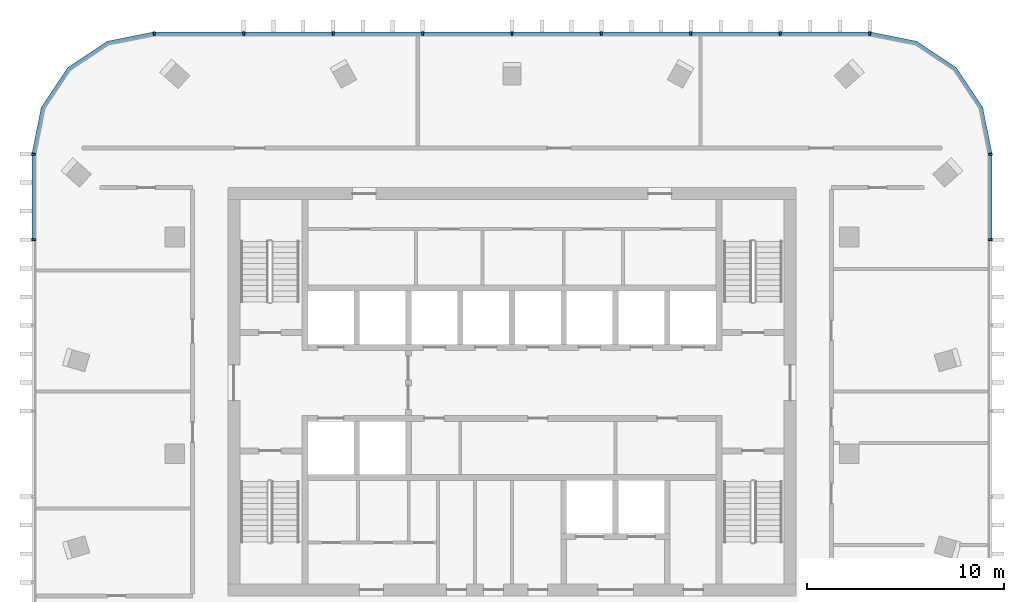
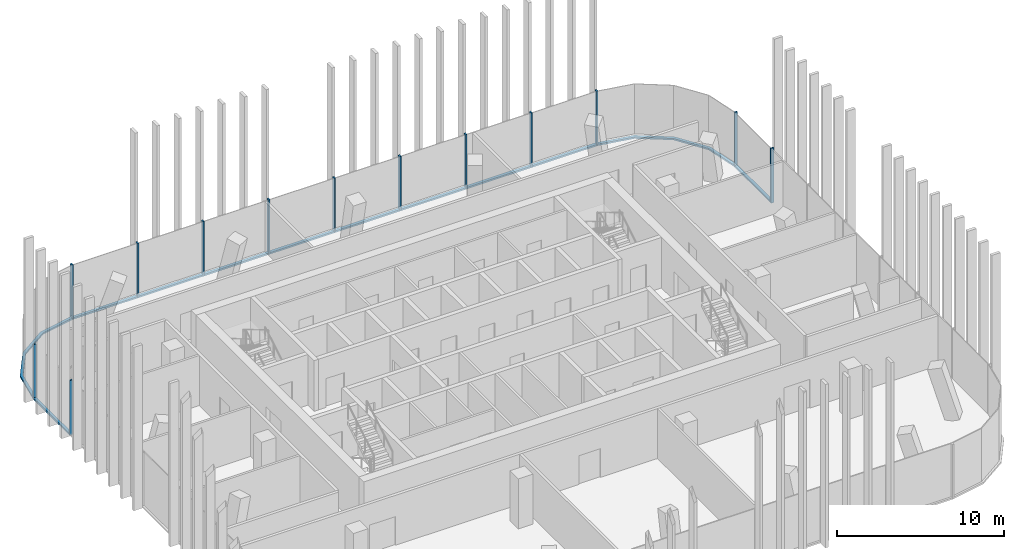
# One storey, part 4 of 13: 25 members, 5 elements without a shape of their own.
"""IFC4 building model written with IfcOpenShell, lengths in metres."""

from ifc_helpers import new_model, si_unit, direction, frame, origin, origin_2d, place, context, subcontext, project, spatial, polyline, rectangle, outline, extrude, material, material_profile, profile_set, type_object, element, aggregate, save


model = new_model("IFC4")

# Units and contexts
model_context = context("Model", 3, precision=1e-05, world=origin(), true_north=direction((0.0, 1.0)))
body_context = subcontext(model_context, "Body", "Model", "MODEL_VIEW")
ifc_project = project(units=[si_unit("LENGTHUNIT", "METRE"), si_unit("AREAUNIT", "SQUARE_METRE"), si_unit("VOLUMEUNIT", "CUBIC_METRE"), si_unit("PLANEANGLEUNIT", "RADIAN"), si_unit("MASSUNIT", "GRAM", prefix="KILO")], contexts=[model_context])

# Site, building, storey
site_placement = place(None, origin())
site = spatial("IfcSite", under=ifc_project, at=site_placement, CompositionType="ELEMENT")
building_placement = place(site_placement, origin())
building = spatial("IfcBuilding", under=site, at=building_placement, Name="Mopane Tessera Tower", CompositionType="ELEMENT")
storey_placement = place(building_placement, frame((0.0, 0.0, 345.39990234375)))
storey = spatial("IfcBuildingStorey", under=building, at=storey_placement, Name="L75", CompositionType="ELEMENT", Elevation=345.39990234375)

# Curtain wall, members
ifc_material_1 = material(Name="Aluminium frame", Category="aluminium")
curtain_wall_type = type_object("IfcCurtainWallType", Name="Unitised curtain wall", PredefinedType="NOTDEFINED", material=ifc_material_1)
curtain_wall_1_placement = place(storey_placement, origin())
curtain_wall_1 = element("IfcCurtainWall", 1, at=curtain_wall_1_placement, inside=storey, type_object=curtain_wall_type, Name="e:cw:L75:E:0", PredefinedType="NOTDEFINED")
ifc_material_2 = material(Name="Aluminium frame", Category="aluminium")
ifc_material_profile_1 = material_profile(ifc_material_2, rectangle(XDim=0.10009765625, YDim=0.199951171875, at=origin_2d()))
ifc_profile_set_1 = profile_set([ifc_material_profile_1], Name="Aluminium frame")
member_type_1 = type_object("IfcMemberType", Name="Aluminium mullion 100 x 200", PredefinedType="MULLION", material=ifc_profile_set_1)
member_1_placement = place(storey_placement, frame((24.25, 10.857177734375, -0.349853515625), z_axis=(0.0, 0.0, 1.0), x_axis=(0.0, 1.0, 0.0)))
member_1 = element("IfcMember", 2, at=member_1_placement, type_object=member_type_1, Name="e:cw:L75:E:0:mu6", PredefinedType="MULLION", context=body_context, shape_type="SweptSolid", body=[
    extrude(rectangle(XDim=0.10009765625, YDim=0.199951171875, at=origin_2d()), origin(), (0.0, 0.0, 1.0), 4.0),
])
member_2_placement = place(storey_placement, frame((24.25, 15.199951171875, -0.349853515625), z_axis=(0.0, 0.0, 1.0), x_axis=(0.0, 1.0, 0.0)))
member_2 = element("IfcMember", 3, at=member_2_placement, type_object=member_type_1, Name="e:cw:L75:E:0:mu7", PredefinedType="MULLION", context=body_context, shape_type="SweptSolid", body=[
    extrude(rectangle(XDim=0.10009765625, YDim=0.199951171875, at=origin_2d()), origin(), (0.0, 0.0, 1.0), 4.0),
])

curtain_wall_2_placement = place(storey_placement, origin())
curtain_wall_2 = element("IfcCurtainWall", 4, at=curtain_wall_2_placement, inside=storey, type_object=curtain_wall_type, Name="e:cw:L75:N:0", PredefinedType="NOTDEFINED")
member_3_placement = place(storey_placement, frame((18.14990234375, 21.300048828125, -0.349853515625), z_axis=(0.0, 0.0, 1.0), x_axis=(-1.0, 0.0, 0.0)))
member_3 = element("IfcMember", 5, at=member_3_placement, type_object=member_type_1, Name="e:cw:L75:N:0:mu0", PredefinedType="MULLION", context=body_context, shape_type="SweptSolid", body=[
    extrude(rectangle(XDim=0.10009765625, YDim=0.199951171875, at=origin_2d()), origin(), (0.0, 0.0, 1.0), 4.0),
])
member_4_placement = place(storey_placement, frame((13.612548828125, 21.300048828125, -0.349853515625), z_axis=(0.0, 0.0, 1.0), x_axis=(-1.0, 0.0, 0.0)))
member_4 = element("IfcMember", 6, at=member_4_placement, type_object=member_type_1, Name="e:cw:L75:N:0:mu1", PredefinedType="MULLION", context=body_context, shape_type="SweptSolid", body=[
    extrude(rectangle(XDim=0.10009765625, YDim=0.199951171875, at=origin_2d()), origin(), (0.0, 0.0, 1.0), 4.0),
])
member_5_placement = place(storey_placement, frame((9.074951171875, 21.300048828125, -0.349853515625), z_axis=(0.0, 0.0, 1.0), x_axis=(-1.0, 0.0, 0.0)))
member_5 = element("IfcMember", 7, at=member_5_placement, type_object=member_type_1, Name="e:cw:L75:N:0:mu2", PredefinedType="MULLION", context=body_context, shape_type="SweptSolid", body=[
    extrude(rectangle(XDim=0.10009765625, YDim=0.199951171875, at=origin_2d()), origin(), (0.0, 0.0, 1.0), 4.0),
])
member_6_placement = place(storey_placement, frame((4.53759765625, 21.300048828125, -0.349853515625), z_axis=(0.0, 0.0, 1.0), x_axis=(-1.0, 0.0, 0.0)))
member_6 = element("IfcMember", 8, at=member_6_placement, type_object=member_type_1, Name="e:cw:L75:N:0:mu3", PredefinedType="MULLION", context=body_context, shape_type="SweptSolid", body=[
    extrude(rectangle(XDim=0.10009765625, YDim=0.199951171875, at=origin_2d()), origin(), (0.0, 0.0, 1.0), 4.0),
])
member_7_placement = place(storey_placement, frame((0.0, 21.300048828125, -0.349853515625), z_axis=(0.0, 0.0, 1.0), x_axis=(-1.0, 0.0, 0.0)))
member_7 = element("IfcMember", 9, at=member_7_placement, type_object=member_type_1, Name="e:cw:L75:N:0:mu4", PredefinedType="MULLION", context=body_context, shape_type="SweptSolid", body=[
    extrude(rectangle(XDim=0.10009765625, YDim=0.199951171875, at=origin_2d()), origin(), (0.0, 0.0, 1.0), 4.0),
])
member_8_placement = place(storey_placement, frame((-4.53759765625, 21.300048828125, -0.349853515625), z_axis=(0.0, 0.0, 1.0), x_axis=(-1.0, 0.0, 0.0)))
member_8 = element("IfcMember", 10, at=member_8_placement, type_object=member_type_1, Name="e:cw:L75:N:0:mu5", PredefinedType="MULLION", context=body_context, shape_type="SweptSolid", body=[
    extrude(rectangle(XDim=0.10009765625, YDim=0.199951171875, at=origin_2d()), origin(), (0.0, 0.0, 1.0), 4.0),
])
member_9_placement = place(storey_placement, frame((-9.074951171875, 21.300048828125, -0.349853515625), z_axis=(0.0, 0.0, 1.0), x_axis=(-1.0, 0.0, 0.0)))
member_9 = element("IfcMember", 11, at=member_9_placement, type_object=member_type_1, Name="e:cw:L75:N:0:mu6", PredefinedType="MULLION", context=body_context, shape_type="SweptSolid", body=[
    extrude(rectangle(XDim=0.10009765625, YDim=0.199951171875, at=origin_2d()), origin(), (0.0, 0.0, 1.0), 4.0),
])
member_10_placement = place(storey_placement, frame((-13.612548828125, 21.300048828125, -0.349853515625), z_axis=(0.0, 0.0, 1.0), x_axis=(-1.0, 0.0, 0.0)))
member_10 = element("IfcMember", 12, at=member_10_placement, type_object=member_type_1, Name="e:cw:L75:N:0:mu7", PredefinedType="MULLION", context=body_context, shape_type="SweptSolid", body=[
    extrude(rectangle(XDim=0.10009765625, YDim=0.199951171875, at=origin_2d()), origin(), (0.0, 0.0, 1.0), 4.0),
])
member_11_placement = place(storey_placement, frame((-18.14990234375, 21.300048828125, -0.349853515625), z_axis=(0.0, 0.0, 1.0), x_axis=(-1.0, 0.0, 0.0)))
member_11 = element("IfcMember", 13, at=member_11_placement, type_object=member_type_1, Name="e:cw:L75:N:0:mu8", PredefinedType="MULLION", context=body_context, shape_type="SweptSolid", body=[
    extrude(rectangle(XDim=0.10009765625, YDim=0.199951171875, at=origin_2d()), origin(), (0.0, 0.0, 1.0), 4.0),
])

curtain_wall_3_placement = place(storey_placement, origin())
curtain_wall_3 = element("IfcCurtainWall", 14, at=curtain_wall_3_placement, inside=storey, type_object=curtain_wall_type, Name="e:cw:L75:W:0", PredefinedType="NOTDEFINED")
member_12_placement = place(storey_placement, frame((-24.25, 15.199951171875, -0.349853515625), z_axis=(0.0, 0.0, 1.0), x_axis=(0.0, -1.0, 0.0)))
member_12 = element("IfcMember", 15, at=member_12_placement, type_object=member_type_1, Name="e:cw:L75:W:0:mu0", PredefinedType="MULLION", context=body_context, shape_type="SweptSolid", body=[
    extrude(rectangle(XDim=0.10009765625, YDim=0.199951171875, at=origin_2d()), origin(), (0.0, 0.0, 1.0), 4.0),
])
member_13_placement = place(storey_placement, frame((-24.25, 10.857177734375, -0.349853515625), z_axis=(0.0, 0.0, 1.0), x_axis=(0.0, -1.0, 0.0)))
member_13 = element("IfcMember", 16, at=member_13_placement, type_object=member_type_1, Name="e:cw:L75:W:0:mu1", PredefinedType="MULLION", context=body_context, shape_type="SweptSolid", body=[
    extrude(rectangle(XDim=0.10009765625, YDim=0.199951171875, at=origin_2d()), origin(), (0.0, 0.0, 1.0), 4.0),
])

# Member
ifc_material_3 = material(Name="Aluminium frame", Category="aluminium")
ifc_material_profile_2 = material_profile(ifc_material_3, rectangle(XDim=0.199951171875, YDim=0.1201171875, at=origin_2d()))
ifc_profile_set_2 = profile_set([ifc_material_profile_2], Name="Aluminium frame")
member_type_2 = type_object("IfcMemberType", Name="Aluminium transom 200 x 120", PredefinedType="USERDEFINED", material=ifc_profile_set_2)
member_14_placement = place(storey_placement, frame((24.25, 10.9072265625, -0.289794921875), z_axis=(0.0, 1.0, 0.0), x_axis=(-1.0, 0.0, 0.0)))
member_14 = element("IfcMember", 17, at=member_14_placement, type_object=member_type_2, Name="e:cw:L75:E:0:tr6", ObjectType="TRANSOM", PredefinedType="USERDEFINED", context=body_context, shape_type="SweptSolid", body=[
    extrude(rectangle(XDim=0.199951171875, YDim=0.1201171875, at=origin_2d()), origin(), (0.0, 0.0, 1.0), 4.24267578125),
])

aggregate(curtain_wall_1, [member_1, member_2, member_14])

# Curtain wall, member
curtain_wall_4_placement = place(storey_placement, origin())
curtain_wall_4 = element("IfcCurtainWall", 18, at=curtain_wall_4_placement, inside=storey, type_object=curtain_wall_type, Name="e:cw:L75:CE", PredefinedType="NOTDEFINED")
member_15_placement = place(storey_placement, frame((0.0, 0.0, -0.349853515625)))
member_15 = element("IfcMember", 19, at=member_15_placement, type_object=member_type_2, Name="e:cw:L75:CE:tr", ObjectType="TRANSOM", PredefinedType="USERDEFINED", context=body_context, shape_type="SweptSolid", body=[
    extrude(outline(polyline([(24.14990234375, 15.199951171875), (23.693359375, 17.49609375), (22.392578125, 19.442626953125), (20.446044921875, 20.7431640625), (18.14990234375, 21.199951171875), (18.14990234375, 21.39990234375), (20.522705078125, 20.927978515625), (22.5341796875, 19.583984375), (23.878173828125, 17.57275390625), (24.35009765625, 15.199951171875), (24.14990234375, 15.199951171875)])), origin(), (0.0, 0.0, 1.0), 0.119873046875),
])
aggregate(curtain_wall_4, [member_15])

# Member
member_16_placement = place(storey_placement, frame((18.10009765625, 21.300048828125, -0.289794921875), z_axis=(-1.0, 0.0, 0.0), x_axis=(0.0, -1.0, 0.0)))
member_16 = element("IfcMember", 20, at=member_16_placement, type_object=member_type_2, Name="e:cw:L75:N:0:tr0", ObjectType="TRANSOM", PredefinedType="USERDEFINED", context=body_context, shape_type="SweptSolid", body=[
    extrude(rectangle(XDim=0.199951171875, YDim=0.1201171875, at=origin_2d()), origin(), (0.0, 0.0, 1.0), 4.4375),
])

member_17_placement = place(storey_placement, frame((13.5625, 21.300048828125, -0.289794921875), z_axis=(-1.0, 0.0, 0.0), x_axis=(0.0, -1.0, 0.0)))
member_17 = element("IfcMember", 21, at=member_17_placement, type_object=member_type_2, Name="e:cw:L75:N:0:tr1", ObjectType="TRANSOM", PredefinedType="USERDEFINED", context=body_context, shape_type="SweptSolid", body=[
    extrude(rectangle(XDim=0.199951171875, YDim=0.1201171875, at=origin_2d()), origin(), (0.0, 0.0, 1.0), 4.4375),
])

member_18_placement = place(storey_placement, frame((9.02490234375, 21.300048828125, -0.289794921875), z_axis=(-1.0, 0.0, 0.0), x_axis=(0.0, -1.0, 0.0)))
member_18 = element("IfcMember", 22, at=member_18_placement, type_object=member_type_2, Name="e:cw:L75:N:0:tr2", ObjectType="TRANSOM", PredefinedType="USERDEFINED", context=body_context, shape_type="SweptSolid", body=[
    extrude(rectangle(XDim=0.199951171875, YDim=0.1201171875, at=origin_2d()), origin(), (0.0, 0.0, 1.0), 4.4375),
])

member_19_placement = place(storey_placement, frame((4.487548828125, 21.300048828125, -0.289794921875), z_axis=(-1.0, 0.0, 0.0), x_axis=(0.0, -1.0, 0.0)))
member_19 = element("IfcMember", 23, at=member_19_placement, type_object=member_type_2, Name="e:cw:L75:N:0:tr3", ObjectType="TRANSOM", PredefinedType="USERDEFINED", context=body_context, shape_type="SweptSolid", body=[
    extrude(rectangle(XDim=0.199951171875, YDim=0.1201171875, at=origin_2d()), origin(), (0.0, 0.0, 1.0), 4.4375),
])

member_20_placement = place(storey_placement, frame((-0.050048828125, 21.300048828125, -0.289794921875), z_axis=(-1.0, 0.0, 0.0), x_axis=(0.0, -1.0, 0.0)))
member_20 = element("IfcMember", 24, at=member_20_placement, type_object=member_type_2, Name="e:cw:L75:N:0:tr4", ObjectType="TRANSOM", PredefinedType="USERDEFINED", context=body_context, shape_type="SweptSolid", body=[
    extrude(rectangle(XDim=0.199951171875, YDim=0.1201171875, at=origin_2d()), origin(), (0.0, 0.0, 1.0), 4.4375),
])

member_21_placement = place(storey_placement, frame((-4.58740234375, 21.300048828125, -0.289794921875), z_axis=(-1.0, 0.0, 0.0), x_axis=(0.0, -1.0, 0.0)))
member_21 = element("IfcMember", 25, at=member_21_placement, type_object=member_type_2, Name="e:cw:L75:N:0:tr5", ObjectType="TRANSOM", PredefinedType="USERDEFINED", context=body_context, shape_type="SweptSolid", body=[
    extrude(rectangle(XDim=0.199951171875, YDim=0.1201171875, at=origin_2d()), origin(), (0.0, 0.0, 1.0), 4.4375),
])

member_22_placement = place(storey_placement, frame((-9.125, 21.300048828125, -0.289794921875), z_axis=(-1.0, 0.0, 0.0), x_axis=(0.0, -1.0, 0.0)))
member_22 = element("IfcMember", 26, at=member_22_placement, type_object=member_type_2, Name="e:cw:L75:N:0:tr6", ObjectType="TRANSOM", PredefinedType="USERDEFINED", context=body_context, shape_type="SweptSolid", body=[
    extrude(rectangle(XDim=0.199951171875, YDim=0.1201171875, at=origin_2d()), origin(), (0.0, 0.0, 1.0), 4.4375),
])

member_23_placement = place(storey_placement, frame((-13.66259765625, 21.300048828125, -0.289794921875), z_axis=(-1.0, 0.0, 0.0), x_axis=(0.0, -1.0, 0.0)))
member_23 = element("IfcMember", 27, at=member_23_placement, type_object=member_type_2, Name="e:cw:L75:N:0:tr7", ObjectType="TRANSOM", PredefinedType="USERDEFINED", context=body_context, shape_type="SweptSolid", body=[
    extrude(rectangle(XDim=0.199951171875, YDim=0.1201171875, at=origin_2d()), origin(), (0.0, 0.0, 1.0), 4.4375),
])

aggregate(curtain_wall_2, [member_3, member_4, member_5, member_6, member_7, member_8, member_9, member_10, member_11, member_16, member_17, member_18, member_19, member_20, member_21, member_22, member_23])

# Curtain wall, member
curtain_wall_5_placement = place(storey_placement, origin())
curtain_wall_5 = element("IfcCurtainWall", 28, at=curtain_wall_5_placement, inside=storey, type_object=curtain_wall_type, Name="e:cw:L75:CN", PredefinedType="NOTDEFINED")
member_24_placement = place(storey_placement, frame((0.0, 0.0, -0.349853515625)))
member_24 = element("IfcMember", 29, at=member_24_placement, type_object=member_type_2, Name="e:cw:L75:CN:tr", ObjectType="TRANSOM", PredefinedType="USERDEFINED", context=body_context, shape_type="SweptSolid", body=[
    extrude(outline(polyline([(-18.14990234375, 21.199951171875), (-20.446044921875, 20.7431640625), (-22.392578125, 19.442626953125), (-23.693359375, 17.49609375), (-24.14990234375, 15.199951171875), (-24.35009765625, 15.199951171875), (-23.878173828125, 17.57275390625), (-22.5341796875, 19.583984375), (-20.522705078125, 20.927978515625), (-18.14990234375, 21.39990234375), (-18.14990234375, 21.199951171875)])), origin(), (0.0, 0.0, 1.0), 0.119873046875),
])
aggregate(curtain_wall_5, [member_24])

# Member
member_25_placement = place(storey_placement, frame((-24.25, 15.14990234375, -0.289794921875), z_axis=(0.0, -1.0, 0.0), x_axis=(1.0, 0.0, 0.0)))
member_25 = element("IfcMember", 30, at=member_25_placement, type_object=member_type_2, Name="e:cw:L75:W:0:tr0", ObjectType="TRANSOM", PredefinedType="USERDEFINED", context=body_context, shape_type="SweptSolid", body=[
    extrude(rectangle(XDim=0.199951171875, YDim=0.1201171875, at=origin_2d()), origin(), (0.0, 0.0, 1.0), 4.24267578125),
])

aggregate(curtain_wall_3, [member_12, member_13, member_25])

save(model, "model.ifc")
